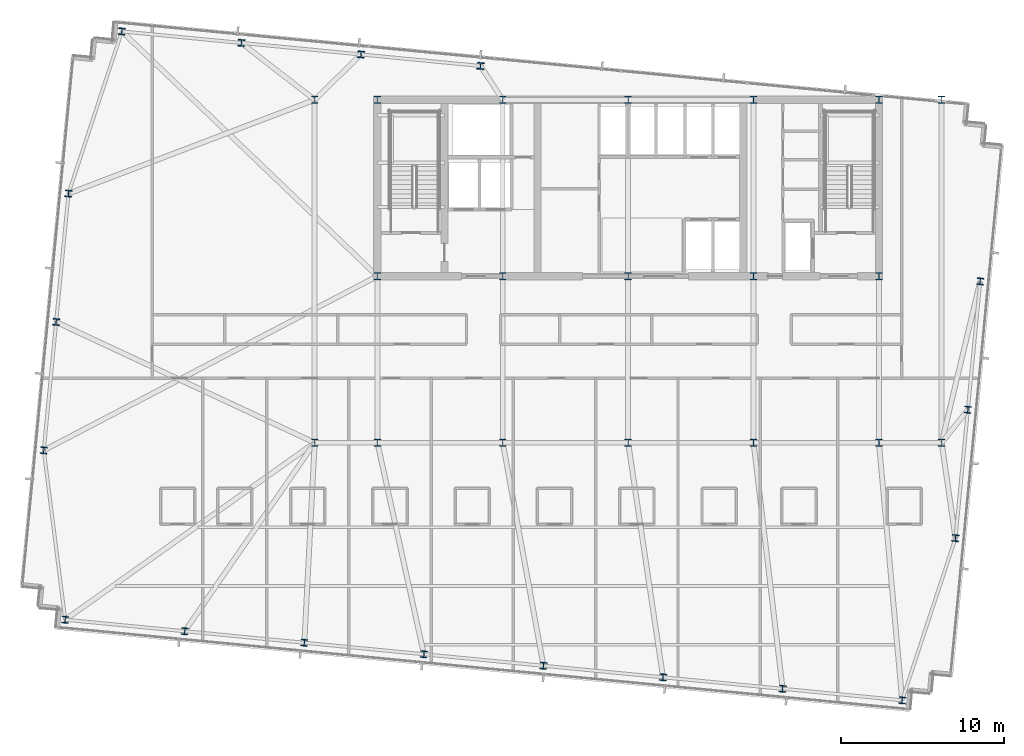
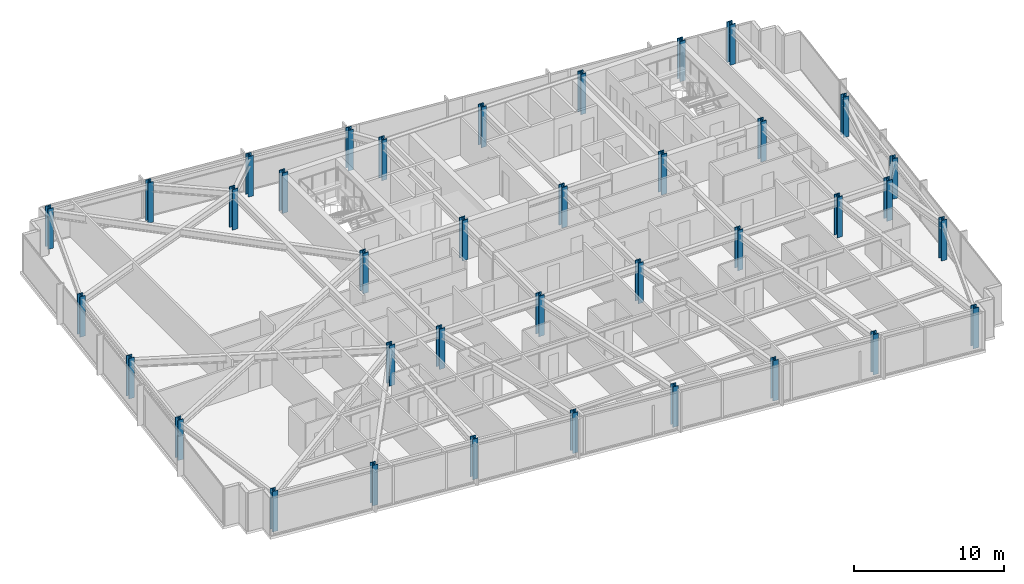
# One storey, part 1 of 38: 37 columns.
"""IFC4 building model written with IfcOpenShell, lengths in metres."""

from ifc_helpers import new_model, si_unit, direction, frame, origin, origin_2d, place, context, subcontext, project, spatial, i_section, extrude, material, material_profile, profile_set, type_object, element, save


model = new_model("IFC4")

# Units and contexts
model_context = context("Model", 3, precision=1e-05, world=origin(), true_north=direction((0.0, 1.0)))
body_context = subcontext(model_context, "Body", "Model", "MODEL_VIEW")
ifc_project = project(units=[si_unit("LENGTHUNIT", "METRE"), si_unit("AREAUNIT", "SQUARE_METRE"), si_unit("VOLUMEUNIT", "CUBIC_METRE"), si_unit("PLANEANGLEUNIT", "RADIAN"), si_unit("MASSUNIT", "GRAM", prefix="KILO")], contexts=[model_context])

# Site, building, storey
site_placement = place(None, origin())
site = spatial("IfcSite", under=ifc_project, at=site_placement, CompositionType="ELEMENT")
building_placement = place(site_placement, origin())
building = spatial("IfcBuilding", under=site, at=building_placement, Name="Yelkora Congress Tower", CompositionType="ELEMENT")
storey_placement = place(building_placement, frame((0.0, 0.0, 178.699951171875)))
storey = spatial("IfcBuildingStorey", under=building, at=storey_placement, Name="L49", CompositionType="ELEMENT", Elevation=178.699951171875)

# Columns
ifc_material = material(Name="Steel S460M", Category="steel")
ifc_material_profile_1 = material_profile(ifc_material, i_section(OverallWidth=0.406005859375, OverallDepth=0.416015625, WebThickness=0.02978515625, FlangeThickness=0.048095703125, FilletRadius=0.014892578125, at=origin_2d()), Name="HD 400x382")
ifc_profile_set_1 = profile_set([ifc_material_profile_1], Name="Steel S460M")
column_type_1 = type_object("IfcColumnType", Name="COL-HD-382-EXT", PredefinedType="COLUMN", material=ifc_profile_set_1)
for number, where, z_axis, x_axis, name in (
    (1, (3.919189453125, 14.357421875, 0.0), (0.0, 0.0, 1.0), (0.995396198367, -0.09584575252, 0.0), "L49 Perimeter Column S01"),
    (2, (11.242431640625, 13.652099609375, 0.0), (0.0, 0.0, 1.0), (0.995396198367, -0.09584575252, 0.0), "L49 Perimeter Column S02"),
    (3, (18.56591796875, 12.947021484375, 0.0), (0.0, 0.0, 1.0), (0.995396198367, -0.09584575252, 0.0), "L49 Perimeter Column S03"),
    (4, (25.888916015625, 12.24169921875, 0.0), (0.0, 0.0, 1.0), (0.995396198367, -0.09584575252, 0.0), "L49 Perimeter Column S04"),
    (5, (33.21240234375, 11.53662109375, 0.0), (0.0, 0.0, 1.0), (0.995396198367, -0.09584575252, 0.0), "L49 Perimeter Column S05"),
    (6, (40.53564453125, 10.83154296875, 0.0), (0.0, 0.0, 1.0), (0.995396198367, -0.09584575252, 0.0), "L49 Perimeter Column S06"),
    (7, (47.85888671875, 10.12646484375, 0.0), (0.0, 0.0, 1.0), (0.995396198367, -0.09584575252, 0.0), "L49 Perimeter Column S07"),
    (8, (55.18212890625, 9.421142578125, 0.0), (0.0, 0.0, 1.0), (0.995396198367, -0.09584575252, 0.0), "L49 Perimeter Column S08"),
    (9, (7.388916015625, 50.390625, 0.0), (0.0, 0.0, 1.0), (0.995396198367, -0.09584575252, 0.0), "L49 Perimeter Column N01"),
    (10, (14.712158203125, 49.685546875, 0.0), (0.0, 0.0, 1.0), (0.995396198367, -0.09584575252, 0.0), "L49 Perimeter Column N02"),
    (11, (22.035400390625, 48.980224609375, 0.0), (0.0, 0.0, 1.0), (0.995396198367, -0.09584575252, 0.0), "L49 Perimeter Column N03"),
    (12, (29.358642578125, 48.275146484375, 0.0), (0.0, 0.0, 1.0), (0.995396198367, -0.09584575252, 0.0), "L49 Perimeter Column N04"),
    (13, (2.607421875, 24.730712890625, 0.0), (0.0, 0.0, 1.0), (0.995396198367, -0.09584575252, 0.0), "L49 Perimeter Column W01"),
    (14, (58.44921875, 19.353759765625, 0.0), (0.0, 0.0, 1.0), (0.995396198367, -0.09584575252, 0.0), "L49 Perimeter Column E01"),
    (15, (3.364501953125, 32.594482421875, 0.0), (0.0, 0.0, 1.0), (0.995396198367, -0.09584575252, 0.0), "L49 Perimeter Column W02"),
    (16, (59.206298828125, 27.217529296875, 0.0), (0.0, 0.0, 1.0), (0.995396198367, -0.09584575252, 0.0), "L49 Perimeter Column E02"),
    (17, (4.121826171875, 40.4580078125, 0.0), (0.0, 0.0, 1.0), (0.995396198367, -0.09584575252, 0.0), "L49 Perimeter Column W03"),
    (18, (59.96337890625, 35.0810546875, 0.0), (0.0, 0.0, 1.0), (0.995396198367, -0.09584575252, 0.0), "L49 Perimeter Column E03"),
):
    element("IfcColumn", number, at=place(storey_placement, frame(where, z_axis=z_axis, x_axis=x_axis)), inside=storey, type_object=column_type_1, Name=name, PredefinedType="COLUMN", context=body_context, shape_type="SweptSolid", body=[
        extrude(i_section(OverallWidth=0.406005859375, OverallDepth=0.416015625, WebThickness=0.02978515625, FlangeThickness=0.048095703125, FilletRadius=0.014892578125, at=origin_2d()), origin(), (0.0, 0.0, 1.0), 3.300048828125),
    ])
ifc_material_profile_2 = material_profile(ifc_material, i_section(OverallWidth=0.41796875, OverallDepth=0.455078125, WebThickness=0.0419921875, FlangeThickness=0.068115234375, FilletRadius=0.014892578125, at=origin_2d()), Name="HD 400x551")
ifc_profile_set_2 = profile_set([ifc_material_profile_2], Name="Steel S460M")
column_type_2 = type_object("IfcColumnType", Name="COL-HD-551", PredefinedType="COLUMN", material=ifc_profile_set_2)
for number, where, z_axis, x_axis, name in (
    (19, (23.0400390625, 35.39990234375, 0.0), (0.0, 0.0, 1.0), (1.0, 0.0, 0.0), "L49 Mega Column MC-S1"),
    (20, (23.0400390625, 46.199951171875, 0.0), (0.0, 0.0, 1.0), (1.0, 0.0, 0.0), "L49 Mega Column MC-N1"),
    (21, (23.0400390625, 25.199951171875, 0.0), (0.0, 0.0, 1.0), (1.0, 0.0, 0.0), "L49 Mega Column MC-D1"),
    (22, (30.719970703125, 35.39990234375, 0.0), (0.0, 0.0, 1.0), (1.0, 0.0, 0.0), "L49 Mega Column MC-S2"),
    (23, (30.719970703125, 46.199951171875, 0.0), (0.0, 0.0, 1.0), (1.0, 0.0, 0.0), "L49 Mega Column MC-N2"),
    (24, (30.719970703125, 25.199951171875, 0.0), (0.0, 0.0, 1.0), (1.0, 0.0, 0.0), "L49 Mega Column MC-D2"),
    (25, (38.39990234375, 35.39990234375, 0.0), (0.0, 0.0, 1.0), (1.0, 0.0, 0.0), "L49 Mega Column MC-S3"),
    (26, (38.39990234375, 46.199951171875, 0.0), (0.0, 0.0, 1.0), (1.0, 0.0, 0.0), "L49 Mega Column MC-N3"),
    (27, (38.39990234375, 25.199951171875, 0.0), (0.0, 0.0, 1.0), (1.0, 0.0, 0.0), "L49 Mega Column MC-D3"),
    (28, (46.080078125, 35.39990234375, 0.0), (0.0, 0.0, 1.0), (1.0, 0.0, 0.0), "L49 Mega Column MC-S4"),
    (29, (46.080078125, 46.199951171875, 0.0), (0.0, 0.0, 1.0), (1.0, 0.0, 0.0), "L49 Mega Column MC-N4"),
    (30, (46.080078125, 25.199951171875, 0.0), (0.0, 0.0, 1.0), (1.0, 0.0, 0.0), "L49 Mega Column MC-D4"),
    (31, (53.760009765625, 35.39990234375, 0.0), (0.0, 0.0, 1.0), (1.0, 0.0, 0.0), "L49 Mega Column MC-S5"),
    (32, (53.760009765625, 46.199951171875, 0.0), (0.0, 0.0, 1.0), (1.0, 0.0, 0.0), "L49 Mega Column MC-N5"),
    (33, (53.760009765625, 25.199951171875, 0.0), (0.0, 0.0, 1.0), (1.0, 0.0, 0.0), "L49 Mega Column MC-D5"),
    (34, (19.199951171875, 25.199951171875, 0.0), (0.0, 0.0, 1.0), (1.0, 0.0, 0.0), "L49 Mega Column MC-F1"),
    (35, (57.60009765625, 25.199951171875, 0.0), (0.0, 0.0, 1.0), (1.0, 0.0, 0.0), "L49 Mega Column MC-F2"),
    (36, (19.199951171875, 46.199951171875, 0.0), (0.0, 0.0, 1.0), (1.0, 0.0, 0.0), "L49 Mega Column MC-F3"),
    (37, (57.60009765625, 46.199951171875, 0.0), (0.0, 0.0, 1.0), (1.0, 0.0, 0.0), "L49 Mega Column MC-F4"),
):
    element("IfcColumn", number, at=place(storey_placement, frame(where, z_axis=z_axis, x_axis=x_axis)), inside=storey, type_object=column_type_2, Name=name, PredefinedType="COLUMN", context=body_context, shape_type="SweptSolid", body=[
        extrude(i_section(OverallWidth=0.41796875, OverallDepth=0.455078125, WebThickness=0.0419921875, FlangeThickness=0.068115234375, FilletRadius=0.014892578125, at=origin_2d()), origin(), (0.0, 0.0, 1.0), 3.300048828125),
    ])

save(model, "model.ifc")
